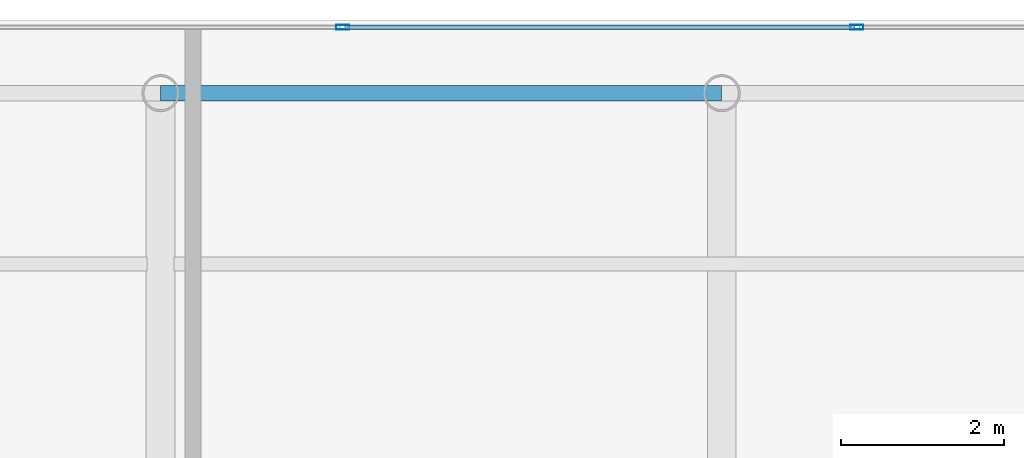
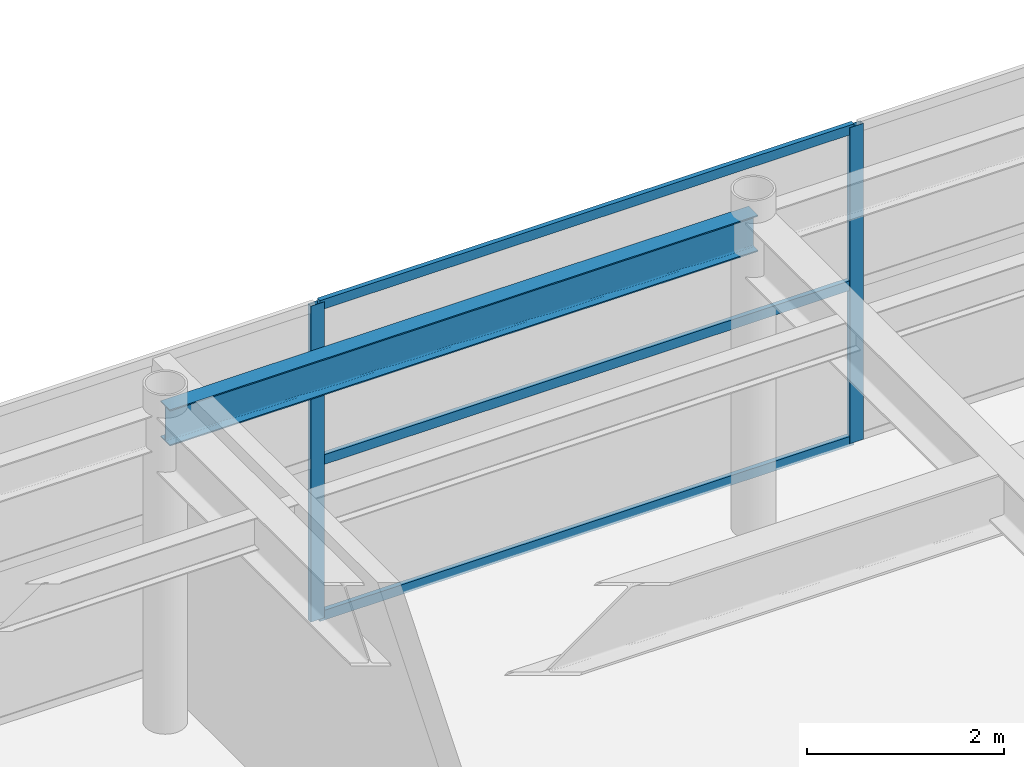
# One storey, part 25 of 33: 5 members, 1 beam, 1 element without a shape of its own.
"""IFC4 building model written with IfcOpenShell, lengths in metres."""

from ifc_helpers import new_model, si_unit, direction, frame, origin, origin_2d, place, context, subcontext, project, spatial, hollow_rectangle, i_section, extrude, source, transform, mapped, material, layer, layer_set, material_profile, profile_set, type_object, element, aggregate, save


model = new_model("IFC4")

# Units and contexts
model_context = context("Model", 3, precision=1e-05, world=origin(), true_north=direction((0.0, 1.0)))
body_context = subcontext(model_context, "Body", "Model", "MODEL_VIEW")
ifc_project = project(units=[si_unit("LENGTHUNIT", "METRE"), si_unit("AREAUNIT", "SQUARE_METRE"), si_unit("VOLUMEUNIT", "CUBIC_METRE"), si_unit("PLANEANGLEUNIT", "RADIAN"), si_unit("MASSUNIT", "GRAM", prefix="KILO")], contexts=[model_context])

# Site, building, storey
site_placement = place(None, origin())
site = spatial("IfcSite", under=ifc_project, at=site_placement, CompositionType="ELEMENT")
building_placement = place(site_placement, origin())
building = spatial("IfcBuilding", under=site, at=building_placement, Name="Khoralis Quay Care Tower", CompositionType="ELEMENT")
storey_placement = place(building_placement, frame((0.0, 0.0, 302.10009765625)))
storey = spatial("IfcBuildingStorey", under=building, at=storey_placement, Name="L79", CompositionType="ELEMENT", Elevation=302.10009765625)

# Beam
ifc_material_1 = material(Name="Steel S355", Category="steel")
ifc_material_profile_1 = material_profile(ifc_material_1, i_section(OverallWidth=0.18994140625, OverallDepth=0.449951171875, WebThickness=0.009521484375, FlangeThickness=0.0146484375, FilletRadius=0.02099609375, at=origin_2d()), Name="Steel S355")
ifc_profile_set_1 = profile_set([ifc_material_profile_1], Name="Steel S355")
beam_type = type_object("IfcBeamType", Name="BM-IPE450", PredefinedType="SPANDREL", material=ifc_profile_set_1)
shared_shape_1 = source(origin(), body_context, "Body", "SweptSolid", [
    extrude(i_section(OverallWidth=0.18994140625, OverallDepth=0.449951171875, WebThickness=0.009521484375, FlangeThickness=0.0146484375, FilletRadius=0.02099609375, at=origin_2d()), origin(), (0.0, 0.0, 1.0), 6.89990234375),
])
beam_placement = place(storey_placement, frame((17.10009765625, 41.10009765625, 3.69482421875), z_axis=(1.0, 0.0, 0.0), x_axis=(0.0, 1.0, 0.0)))
element("IfcBeam", 1, at=beam_placement, inside=storey, type_object=beam_type, Name="BM-TSP-L79-06", PredefinedType="SPANDREL", context=body_context, shape_type="MappedRepresentation", body=[
    mapped(shared_shape_1, transform((0.0, 0.0, 0.0), scale=1.0)),
])

# Curtain wall, members
ifc_material_2 = material(Name="Pale anodised aluminium", Category="aluminium")
ifc_layer = layer(ifc_material_2, 0.199951171875)
ifc_layer_set = layer_set([ifc_layer], Name="Pale anodised aluminium")
curtain_wall_type = type_object("IfcCurtainWallType", Name="CW-SYS-LANTERN", PredefinedType="NOTDEFINED", material=ifc_layer_set)
curtain_wall_placement = place(storey_placement, origin())
curtain_wall = element("IfcCurtainWall", 2, at=curtain_wall_placement, inside=storey, type_object=curtain_wall_type, Name="L79 Unitised Curtain Wall CW-LN-L79-11", PredefinedType="NOTDEFINED")
ifc_material_profile_2 = material_profile(ifc_material_2, hollow_rectangle(XDim=0.054931640625, YDim=0.1201171875, WallThickness=0.00390625, at=origin_2d()), Name="Pale anodised aluminium")
ifc_profile_set_2 = profile_set([ifc_material_profile_2], Name="Pale anodised aluminium")
member_type_1 = type_object("IfcMemberType", Name="CW-TRN-120", PredefinedType="USERDEFINED", material=ifc_profile_set_2)
shared_shape_2 = source(origin(), body_context, "Body", "SweptSolid", [
    extrude(hollow_rectangle(XDim=0.054931640625, YDim=0.1201171875, WallThickness=0.00390625, at=origin_2d()), origin(), (0.0, 0.0, 1.0), 6.26416015625),
])
member_1_placement = place(storey_placement, frame((25.632080078125, 41.909912109375, 0.02978515625), z_axis=(-1.0, 0.0, 0.0), x_axis=(0.0, -1.0, 0.0)))
member_1 = element("IfcMember", 3, at=member_1_placement, type_object=member_type_1, Name="CW5 transom 3.1", ObjectType="TRANSOM", PredefinedType="USERDEFINED", context=body_context, shape_type="MappedRepresentation", body=[
    mapped(shared_shape_2, transform((0.0, 0.0, 0.0), scale=1.0)),
])
member_2_placement = place(storey_placement, frame((25.632080078125, 41.909912109375, 1.9599609375), z_axis=(-1.0, 0.0, 0.0), x_axis=(0.0, -1.0, 0.0)))
member_2 = element("IfcMember", 4, at=member_2_placement, type_object=member_type_1, Name="CW5 transom 3.2", ObjectType="TRANSOM", PredefinedType="USERDEFINED", context=body_context, shape_type="MappedRepresentation", body=[
    mapped(shared_shape_2, transform((0.0, 0.0, 0.0), scale=1.0)),
])
member_3_placement = place(storey_placement, frame((25.632080078125, 41.909912109375, 3.889892578125), z_axis=(-1.0, 0.0, 0.0), x_axis=(0.0, -1.0, 0.0)))
member_3 = element("IfcMember", 5, at=member_3_placement, type_object=member_type_1, Name="CW5 transom 3.3", ObjectType="TRANSOM", PredefinedType="USERDEFINED", context=body_context, shape_type="MappedRepresentation", body=[
    mapped(shared_shape_2, transform((0.0, 0.0, 0.0), scale=1.0)),
])
ifc_material_profile_3 = material_profile(ifc_material_2, hollow_rectangle(XDim=0.06005859375, YDim=0.159912109375, WallThickness=0.00390625, at=origin_2d()), Name="Pale anodised aluminium")
ifc_profile_set_3 = profile_set([ifc_material_profile_3], Name="Pale anodised aluminium")
member_type_2 = type_object("IfcMemberType", Name="CW-MUL-160", PredefinedType="MULLION", material=ifc_profile_set_3)
shared_shape_3 = source(origin(), body_context, "Body", "SweptSolid", [
    extrude(hollow_rectangle(XDim=0.06005859375, YDim=0.159912109375, WallThickness=0.00390625, at=origin_2d()), origin(), (0.0, 0.0, 1.0), 3.919921875),
])
member_4_placement = place(storey_placement, frame((25.662109375, 41.909912109375, 0.0), z_axis=(0.0, 0.0, 1.0), x_axis=(0.0, -1.0, 0.0)))
member_4 = element("IfcMember", 6, at=member_4_placement, type_object=member_type_2, Name="CW5 mullion 3", PredefinedType="MULLION", context=body_context, shape_type="MappedRepresentation", body=[
    mapped(shared_shape_3, transform((0.0, 0.0, 0.0), scale=1.0)),
])
member_5_placement = place(storey_placement, frame((19.337890625, 41.909912109375, 0.0), z_axis=(0.0, 0.0, 1.0), x_axis=(0.0, -1.0, 0.0)))
member_5 = element("IfcMember", 7, at=member_5_placement, type_object=member_type_2, Name="CW5 mullion 4", PredefinedType="MULLION", context=body_context, shape_type="MappedRepresentation", body=[
    mapped(shared_shape_3, transform((0.0, 0.0, 0.0), scale=1.0)),
])
aggregate(curtain_wall, [member_4, member_5, member_1, member_2, member_3])

save(model, "model.ifc")
